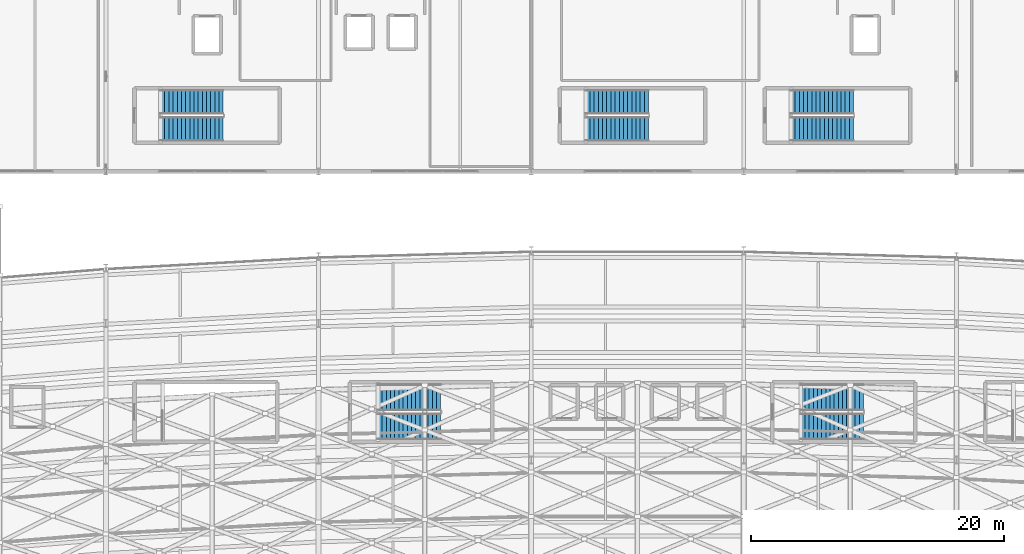
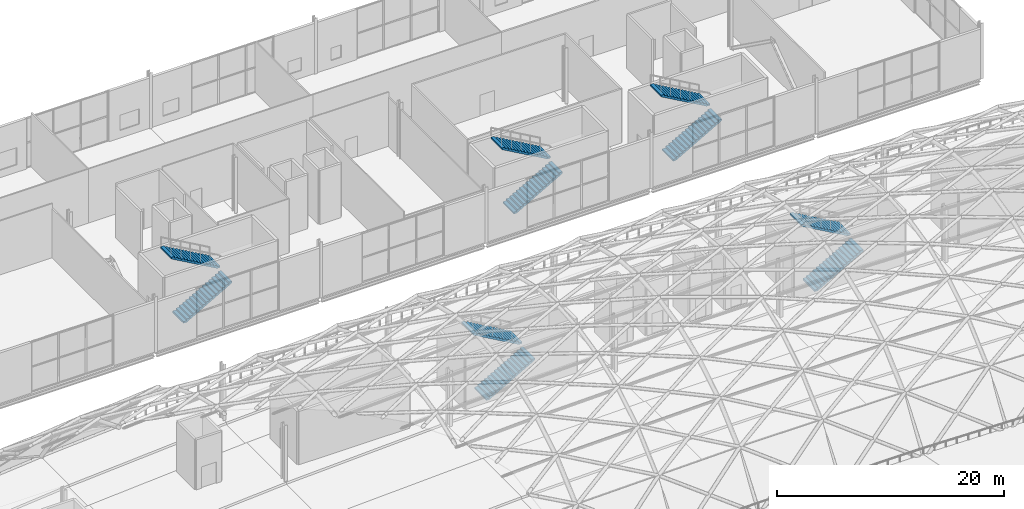
# One storey, part 89 of 100: 10 stair flights, 5 elements without a shape of their own.
"""IFC4 building model written with IfcOpenShell, lengths in metres."""

import ifcopenshell
import ifcopenshell.guid

model = None  # the IFC model being written
_history = None  # IfcOwnerHistory: only IFC2X3 demands one
_inside = {}  # id of a spatial element -> (the spatial element, [elements in it])
_under = {}  # id of a project, library or spatial element -> (it, [spatial elements below it])
_declared = {}  # id of a project -> (the project, [libraries it declares])
_typed = {}  # id of a type object -> (the type object, [elements of that type])
_made_of = {}  # id of a material, layer set ... -> (it, [elements and type objects made of it])


def new_model(schema):
    """Start an empty IFC model of exactly this schema.

    Asked for "IFC4X3", IfcOpenShell would pick the latest addendum, in which some entities
    have other attributes; the version numbers below select the first issue.
    IFC2X3 requires an IfcOwnerHistory on every rooted entity: one is made here for all.
    """
    global model, _history
    if schema == "IFC4X3":
        model = ifcopenshell.file(schema_version=(4, 3, 0, 0))
    else:
        model = ifcopenshell.file(schema=schema)
    _inside.clear()
    _under.clear()
    _declared.clear()
    _typed.clear()
    _made_of.clear()
    _history = None
    if model.schema == "IFC2X3":
        org = make("IfcOrganization", Name="unknown")
        user = make(
            "IfcPersonAndOrganization",
            ThePerson=make("IfcPerson", FamilyName="unknown"),
            TheOrganization=org,
        )
        app = make(
            "IfcApplication",
            ApplicationDeveloper=org,
            Version="unknown",
            ApplicationFullName="unknown",
            ApplicationIdentifier="unknown",
        )
        _history = make(
            "IfcOwnerHistory",
            OwningUser=user,
            OwningApplication=app,
            ChangeAction="ADDED",
            CreationDate=0,
        )
    return model


def make(cls, **values):
    """One entity of the class cls with the attributes given. An attribute that is None is left unset."""
    return model.create_entity(
        cls, **{name: value for name, value in values.items() if value is not None}
    )


def rooted(cls, **values):
    """An entity with a GlobalId (a new one), such as an element, a storey or a relation."""
    return make(cls, GlobalId=ifcopenshell.guid.new(), OwnerHistory=_history, **values)


def si_unit(unit_type, name, prefix=None):
    """IfcSIUnit, for example si_unit("LENGTHUNIT", "METRE", prefix="MILLI")."""
    return make("IfcSIUnit", UnitType=unit_type, Prefix=prefix, Name=name)


def assignment(units):
    """IfcUnitAssignment: the units of a project."""
    return None if units is None else make("IfcUnitAssignment", Units=units)


def point(xyz):
    """IfcCartesianPoint."""
    return None if xyz is None else make("IfcCartesianPoint", Coordinates=xyz)


def direction(xyz):
    """IfcDirection."""
    return None if xyz is None else make("IfcDirection", DirectionRatios=xyz)


def frame(location, z_axis=None, x_axis=None):
    """IfcAxis2Placement3D, a coordinate frame: its origin and axes. An axis left out is left unset."""
    return make(
        "IfcAxis2Placement3D",
        Location=point(location),
        Axis=direction(z_axis),
        RefDirection=direction(x_axis),
    )


def origin():
    """The frame at (0, 0, 0) with its axes left unset."""
    return frame((0.0, 0.0, 0.0))


def place(relative_to, where):
    """IfcLocalPlacement: puts the frame where relative to a parent placement (None: the world)."""
    return make(
        "IfcLocalPlacement", PlacementRelTo=relative_to, RelativePlacement=where
    )


def context(
    kind, dimensions, precision=None, world=None, true_north=None, identifier=None
):
    """IfcGeometricRepresentationContext, for example the 3D "Model" context."""
    return make(
        "IfcGeometricRepresentationContext",
        ContextIdentifier=identifier,
        ContextType=kind,
        CoordinateSpaceDimension=dimensions,
        Precision=precision,
        WorldCoordinateSystem=world,
        TrueNorth=true_north,
    )


def subcontext(parent, identifier, kind, view, scale=None):
    """IfcGeometricRepresentationSubContext, for example "Body" below "Model"."""
    return make(
        "IfcGeometricRepresentationSubContext",
        ContextIdentifier=identifier,
        ContextType=kind,
        ParentContext=parent,
        TargetScale=scale,
        TargetView=view,
    )


def project(units=None, contexts=None):
    """IfcProject with its units and contexts."""
    return rooted(
        "IfcProject",
        Name="project",
        RepresentationContexts=contexts,
        UnitsInContext=assignment(units),
    )


def spatial(cls, under=None, at=None, **own):
    """A site, building, storey or space (cls), placed at a placement, below another one or the project."""
    s = rooted(cls, ObjectPlacement=at, **own)
    if under is not None:
        _under.setdefault(under.id(), (under, []))[1].append(s)
    return s


def polyline(points):
    """IfcPolyline through the points."""
    return make("IfcPolyline", Points=[point(p) for p in points])


def outline(outer, holes=None, kind="AREA"):
    """IfcArbitraryClosedProfileDef: a profile drawn as a closed curve; with holes, ...WithVoids."""
    if holes is None:
        return make("IfcArbitraryClosedProfileDef", ProfileType=kind, OuterCurve=outer)
    return make(
        "IfcArbitraryProfileDefWithVoids",
        ProfileType=kind,
        OuterCurve=outer,
        InnerCurves=holes,
    )


def extrude(swept, where, along, depth):
    """IfcExtrudedAreaSolid: the profile swept, set in the frame where, extruded along a direction by depth."""
    return make(
        "IfcExtrudedAreaSolid",
        SweptArea=swept,
        Position=where,
        ExtrudedDirection=direction(along),
        Depth=depth,
    )


def shape(context_of_items, identifier, shape_type, items):
    """IfcShapeRepresentation: the items that make up one representation, for example the "Body"."""
    return make(
        "IfcShapeRepresentation",
        ContextOfItems=context_of_items,
        RepresentationIdentifier=identifier,
        RepresentationType=shape_type,
        Items=items,
    )


def material(Name=None, Category=None):
    """IfcMaterial."""
    return make("IfcMaterial", Name=Name, Category=Category)


def made_of(thing, what):
    """Note that an element or type object is made of a material, layer set ...; save() writes the relation."""
    if what is not None:
        _made_of.setdefault(what.id(), (what, []))[1].append(thing)
    return thing


def type_object(cls, material=None, **own):
    """A type object (cls), such as IfcWallType, which elements share."""
    return made_of(rooted(cls, **own), material)


def element(
    cls,
    number,
    at=None,
    inside=None,
    cuts=None,
    type_object=None,
    material=None,
    context=None,
    identifier="Body",
    shape_type=None,
    held_by="IfcProductDefinitionShape",
    body=None,
    shapes=None,
    **own,
):
    """One element of the class cls, such as IfcWall. Its Tag is "e" and its number.

    at: its placement. inside: the storey or other place that contains it. cuts: it is an
    opening in that element (IfcRelVoidsElement). A single representation is given by context,
    identifier, shape_type and body (its items); several are given by shapes. held_by: the class
    of the entity that holds the representations. save() writes the other relations.
    """
    e = rooted(cls, Tag="e%d" % number, ObjectPlacement=at, **own)
    if body is not None:
        shapes = [shape(context, identifier, shape_type, body)]
    if shapes is not None:
        e.Representation = make(held_by, Representations=shapes)
    if inside is not None:
        _inside.setdefault(inside.id(), (inside, []))[1].append(e)
    if cuts is not None:
        rooted(
            "IfcRelVoidsElement", RelatingBuildingElement=cuts, RelatedOpeningElement=e
        )
    if type_object is not None:
        _typed.setdefault(type_object.id(), (type_object, []))[1].append(e)
    return made_of(e, material)


def aggregate(whole, parts):
    """IfcRelAggregates: a whole, such as a stair, and the parts it consists of."""
    return rooted("IfcRelAggregates", RelatingObject=whole, RelatedObjects=parts)


def save(model, path):
    """Write the relations noted so far, then the file.

    IfcRelAggregates (storeys below a building ...), IfcRelContainedInSpatialStructure (elements
    in a storey), IfcRelDefinesByType, IfcRelAssociatesMaterial and IfcRelDeclares: one each for
    every whole, place, type object, material and project.
    """
    for whole, parts in _under.values():
        aggregate(whole, parts)
    for where, things in _inside.values():
        rooted(
            "IfcRelContainedInSpatialStructure",
            RelatedElements=things,
            RelatingStructure=where,
        )
    for kind, things in _typed.values():
        rooted("IfcRelDefinesByType", RelatedObjects=things, RelatingType=kind)
    for what, things in _made_of.values():
        rooted("IfcRelAssociatesMaterial", RelatedObjects=things, RelatingMaterial=what)
    for by, libraries in _declared.values():
        rooted("IfcRelDeclares", RelatingContext=by, RelatedDefinitions=libraries)
    model.write(path)


model = new_model("IFC4")

# Units and contexts
model_context = context("Model", 3, precision=1e-05, world=origin(), true_north=direction((0.0, 1.0)))
body_context = subcontext(model_context, "Body", "Model", "MODEL_VIEW")
ifc_project = project(units=[si_unit("LENGTHUNIT", "METRE"), si_unit("AREAUNIT", "SQUARE_METRE"), si_unit("VOLUMEUNIT", "CUBIC_METRE"), si_unit("PLANEANGLEUNIT", "RADIAN"), si_unit("MASSUNIT", "GRAM", prefix="KILO")], contexts=[model_context])

# Site, building, storey
site_placement = place(None, origin())
site = spatial("IfcSite", under=ifc_project, at=site_placement, CompositionType="ELEMENT")
building_placement = place(site_placement, origin())
building = spatial("IfcBuilding", under=site, at=building_placement, Name="Kimbaza Rail Terminus", CompositionType="ELEMENT")
storey_placement = place(building_placement, frame((0.0, 0.0, 10.800048828125)))
storey = spatial("IfcBuildingStorey", under=building, at=storey_placement, Name="L02", CompositionType="ELEMENT", Elevation=10.800048828125)

# Stair, stair flights
ifc_material_1 = material(Name="Concrete C40/50", Category="concrete")
stair_type_1 = type_object("IfcStairType", Name="ARC-STR-01", PredefinedType="HALF_TURN_STAIR", material=ifc_material_1)
stair_1_placement = place(storey_placement, origin())
stair_1 = element("IfcStair", 1, at=stair_1_placement, inside=storey, type_object=stair_type_1, Name="L02 Operations West Exit Stair", PredefinedType="HALF_TURN_STAIR")
ifc_material_2 = material(Name="Concrete C40/50", Category="concrete")
stair_flight_type_1 = type_object("IfcStairFlightType", Name="ARC-SFL-01", PredefinedType="STRAIGHT", material=ifc_material_2)
stair_flight_1_placement = place(storey_placement, frame((76.320068359375, 106.360107421875, 0.0), z_axis=(0.0, 0.0, 1.0), x_axis=(1.0, 0.0, 0.0)))
stair_flight_1 = element("IfcStairFlight", 2, at=stair_flight_1_placement, type_object=stair_flight_type_1, Name="ST-W1 flight 1", NumberOfRisers=16, NumberOfTreads=15, PredefinedType="STRAIGHT", RiserHeight=0.1875, TreadLength=0.33, context=body_context, shape_type="SweptSolid", body=[
    extrude(outline(polyline([(0.0, 0.0), (0.0, 0.1875), (0.330078125, 0.1875), (0.330078125, 0.375), (0.659912109375, 0.375), (0.659912109375, 0.5625), (0.989990234375, 0.5625), (0.989990234375, 0.75), (1.320068359375, 0.75), (1.320068359375, 0.9375), (1.64990234375, 0.9375), (1.64990234375, 1.125), (1.97998046875, 1.125), (1.97998046875, 1.3125), (2.31005859375, 1.3125), (2.31005859375, 1.5), (2.639892578125, 1.5), (2.639892578125, 1.6875), (2.969970703125, 1.6875), (2.969970703125, 1.875), (3.300048828125, 1.875), (3.300048828125, 2.0625), (3.6298828125, 2.0625), (3.6298828125, 2.25), (3.9599609375, 2.25), (3.9599609375, 2.4375), (4.2900390625, 2.4375), (4.2900390625, 2.625), (4.6201171875, 2.625), (4.6201171875, 2.8125), (4.949951171875, 2.8125), (4.949951171875, 3.0), (4.949951171875, 2.64013671875), (0.303466796875, 0.0), (0.0, 0.0)])), frame((0.0, 0.9599609375, 0.0), z_axis=(0.0, -1.0, 0.0), x_axis=(1.0, 0.0, 0.0)), (0.0, 0.0, 1.0), 1.919921875),
])
stair_flight_2_placement = place(storey_placement, frame((81.27001953125, 108.47998046875, 3.0), z_axis=(0.0, 0.0, 1.0), x_axis=(-1.0, 0.0, 0.0)))
stair_flight_2 = element("IfcStairFlight", 3, at=stair_flight_2_placement, type_object=stair_flight_type_1, Name="ST-W1 flight 2", NumberOfRisers=16, NumberOfTreads=15, PredefinedType="STRAIGHT", RiserHeight=0.1875, TreadLength=0.33, context=body_context, shape_type="SweptSolid", body=[
    extrude(outline(polyline([(0.0, 0.0), (0.0, 0.1875), (0.330078125, 0.1875), (0.330078125, 0.375), (0.659912109375, 0.375), (0.659912109375, 0.5625), (0.989990234375, 0.5625), (0.989990234375, 0.75), (1.320068359375, 0.75), (1.320068359375, 0.9375), (1.64990234375, 0.9375), (1.64990234375, 1.125), (1.97998046875, 1.125), (1.97998046875, 1.3125), (2.31005859375, 1.3125), (2.31005859375, 1.5), (2.639892578125, 1.5), (2.639892578125, 1.6875), (2.969970703125, 1.6875), (2.969970703125, 1.875), (3.300048828125, 1.875), (3.300048828125, 2.0625), (3.6298828125, 2.0625), (3.6298828125, 2.25), (3.9599609375, 2.25), (3.9599609375, 2.4375), (4.2900390625, 2.4375), (4.2900390625, 2.625), (4.6201171875, 2.625), (4.6201171875, 2.8125), (4.949951171875, 2.8125), (4.949951171875, 3.0), (4.949951171875, 2.64013671875), (0.303466796875, 0.0), (0.0, 0.0)])), frame((0.0, 0.9599609375, 0.0), z_axis=(0.0, -1.0, 0.0), x_axis=(1.0, 0.0, 0.0)), (0.0, 0.0, 1.0), 1.919921875),
])
aggregate(stair_1, [stair_flight_1, stair_flight_2])

stair_2_placement = place(storey_placement, origin())
stair_2 = element("IfcStair", 4, at=stair_2_placement, inside=storey, type_object=stair_type_1, Name="L02 Operations Central Exit Stair", PredefinedType="HALF_TURN_STAIR")
stair_flight_3_placement = place(storey_placement, frame((109.919921875, 106.360107421875, 0.0), z_axis=(0.0, 0.0, 1.0), x_axis=(1.0, 0.0, 0.0)))
stair_flight_3 = element("IfcStairFlight", 5, at=stair_flight_3_placement, type_object=stair_flight_type_1, Name="ST-M1 flight 1", NumberOfRisers=16, NumberOfTreads=15, PredefinedType="STRAIGHT", RiserHeight=0.1875, TreadLength=0.33, context=body_context, shape_type="SweptSolid", body=[
    extrude(outline(polyline([(0.0, 0.0), (0.0, 0.1875), (0.330078125, 0.1875), (0.330078125, 0.375), (0.659912109375, 0.375), (0.659912109375, 0.5625), (0.989990234375, 0.5625), (0.989990234375, 0.75), (1.320068359375, 0.75), (1.320068359375, 0.9375), (1.64990234375, 0.9375), (1.64990234375, 1.125), (1.97998046875, 1.125), (1.97998046875, 1.3125), (2.31005859375, 1.3125), (2.31005859375, 1.5), (2.639892578125, 1.5), (2.639892578125, 1.6875), (2.969970703125, 1.6875), (2.969970703125, 1.875), (3.300048828125, 1.875), (3.300048828125, 2.0625), (3.6298828125, 2.0625), (3.6298828125, 2.25), (3.9599609375, 2.25), (3.9599609375, 2.4375), (4.2900390625, 2.4375), (4.2900390625, 2.625), (4.6201171875, 2.625), (4.6201171875, 2.8125), (4.949951171875, 2.8125), (4.949951171875, 3.0), (4.949951171875, 2.64013671875), (0.303466796875, 0.0), (0.0, 0.0)])), frame((0.0, 0.9599609375, 0.0), z_axis=(0.0, -1.0, 0.0), x_axis=(1.0, 0.0, 0.0)), (0.0, 0.0, 1.0), 1.919921875),
])
stair_flight_4_placement = place(storey_placement, frame((114.8701171875, 108.47998046875, 3.0), z_axis=(0.0, 0.0, 1.0), x_axis=(-1.0, 0.0, 0.0)))
stair_flight_4 = element("IfcStairFlight", 6, at=stair_flight_4_placement, type_object=stair_flight_type_1, Name="ST-M1 flight 2", NumberOfRisers=16, NumberOfTreads=15, PredefinedType="STRAIGHT", RiserHeight=0.1875, TreadLength=0.33, context=body_context, shape_type="SweptSolid", body=[
    extrude(outline(polyline([(0.0, 0.0), (0.0, 0.1875), (0.330078125, 0.1875), (0.330078125, 0.375), (0.659912109375, 0.375), (0.659912109375, 0.5625), (0.989990234375, 0.5625), (0.989990234375, 0.75), (1.320068359375, 0.75), (1.320068359375, 0.9375), (1.64990234375, 0.9375), (1.64990234375, 1.125), (1.97998046875, 1.125), (1.97998046875, 1.3125), (2.31005859375, 1.3125), (2.31005859375, 1.5), (2.639892578125, 1.5), (2.639892578125, 1.6875), (2.969970703125, 1.6875), (2.969970703125, 1.875), (3.300048828125, 1.875), (3.300048828125, 2.0625), (3.6298828125, 2.0625), (3.6298828125, 2.25), (3.9599609375, 2.25), (3.9599609375, 2.4375), (4.2900390625, 2.4375), (4.2900390625, 2.625), (4.6201171875, 2.625), (4.6201171875, 2.8125), (4.949951171875, 2.8125), (4.949951171875, 3.0), (4.949951171875, 2.64013671875), (0.303466796875, 0.0), (0.0, 0.0)])), frame((0.0, 0.9599609375, 0.0), z_axis=(0.0, -1.0, 0.0), x_axis=(1.0, 0.0, 0.0)), (0.0, 0.0, 1.0), 1.919921875),
])
aggregate(stair_2, [stair_flight_3, stair_flight_4])

stair_3_placement = place(storey_placement, origin())
stair_3 = element("IfcStair", 7, at=stair_3_placement, inside=storey, type_object=stair_type_1, Name="L02 Operations East Exit Stair", PredefinedType="HALF_TURN_STAIR")
stair_flight_5_placement = place(storey_placement, frame((126.1201171875, 106.360107421875, 0.0), z_axis=(0.0, 0.0, 1.0), x_axis=(1.0, 0.0, 0.0)))
stair_flight_5 = element("IfcStairFlight", 8, at=stair_flight_5_placement, type_object=stair_flight_type_1, Name="ST-E1 flight 1", NumberOfRisers=16, NumberOfTreads=15, PredefinedType="STRAIGHT", RiserHeight=0.1875, TreadLength=0.33, context=body_context, shape_type="SweptSolid", body=[
    extrude(outline(polyline([(0.0, 0.0), (0.0, 0.1875), (0.330078125, 0.1875), (0.330078125, 0.375), (0.659912109375, 0.375), (0.659912109375, 0.5625), (0.989990234375, 0.5625), (0.989990234375, 0.75), (1.320068359375, 0.75), (1.320068359375, 0.9375), (1.64990234375, 0.9375), (1.64990234375, 1.125), (1.97998046875, 1.125), (1.97998046875, 1.3125), (2.31005859375, 1.3125), (2.31005859375, 1.5), (2.639892578125, 1.5), (2.639892578125, 1.6875), (2.969970703125, 1.6875), (2.969970703125, 1.875), (3.300048828125, 1.875), (3.300048828125, 2.0625), (3.6298828125, 2.0625), (3.6298828125, 2.25), (3.9599609375, 2.25), (3.9599609375, 2.4375), (4.2900390625, 2.4375), (4.2900390625, 2.625), (4.6201171875, 2.625), (4.6201171875, 2.8125), (4.949951171875, 2.8125), (4.949951171875, 3.0), (4.949951171875, 2.64013671875), (0.303466796875, 0.0), (0.0, 0.0)])), frame((0.0, 0.9599609375, 0.0), z_axis=(0.0, -1.0, 0.0), x_axis=(1.0, 0.0, 0.0)), (0.0, 0.0, 1.0), 1.919921875),
])
stair_flight_6_placement = place(storey_placement, frame((131.070068359375, 108.47998046875, 3.0), z_axis=(0.0, 0.0, 1.0), x_axis=(-1.0, 0.0, 0.0)))
stair_flight_6 = element("IfcStairFlight", 9, at=stair_flight_6_placement, type_object=stair_flight_type_1, Name="ST-E1 flight 2", NumberOfRisers=16, NumberOfTreads=15, PredefinedType="STRAIGHT", RiserHeight=0.1875, TreadLength=0.33, context=body_context, shape_type="SweptSolid", body=[
    extrude(outline(polyline([(0.0, 0.0), (0.0, 0.1875), (0.330078125, 0.1875), (0.330078125, 0.375), (0.659912109375, 0.375), (0.659912109375, 0.5625), (0.989990234375, 0.5625), (0.989990234375, 0.75), (1.320068359375, 0.75), (1.320068359375, 0.9375), (1.64990234375, 0.9375), (1.64990234375, 1.125), (1.97998046875, 1.125), (1.97998046875, 1.3125), (2.31005859375, 1.3125), (2.31005859375, 1.5), (2.639892578125, 1.5), (2.639892578125, 1.6875), (2.969970703125, 1.6875), (2.969970703125, 1.875), (3.300048828125, 1.875), (3.300048828125, 2.0625), (3.6298828125, 2.0625), (3.6298828125, 2.25), (3.9599609375, 2.25), (3.9599609375, 2.4375), (4.2900390625, 2.4375), (4.2900390625, 2.625), (4.6201171875, 2.625), (4.6201171875, 2.8125), (4.949951171875, 2.8125), (4.949951171875, 3.0), (4.949951171875, 2.64013671875), (0.303466796875, 0.0), (0.0, 0.0)])), frame((0.0, 0.9599609375, 0.0), z_axis=(0.0, -1.0, 0.0), x_axis=(1.0, 0.0, 0.0)), (0.0, 0.0, 1.0), 1.919921875),
])
aggregate(stair_3, [stair_flight_5, stair_flight_6])

ifc_material_3 = material(Name="Concrete C40/50", Category="concrete")
stair_type_2 = type_object("IfcStairType", Name="ARC-STR-05", PredefinedType="HALF_TURN_STAIR", material=ifc_material_3)
stair_4_placement = place(storey_placement, origin())
stair_4 = element("IfcStair", 10, at=stair_4_placement, inside=storey, type_object=stair_type_2, Name="L02 Footbridge West Platform Stair", PredefinedType="HALF_TURN_STAIR")
ifc_material_4 = material(Name="Concrete C40/50", Category="concrete")
stair_flight_type_2 = type_object("IfcStairFlightType", Name="ARC-SFL-05", PredefinedType="STRAIGHT", material=ifc_material_4)
stair_flight_7_placement = place(storey_placement, frame((93.5, 82.85009765625, 0.0), z_axis=(0.0, 0.0, 1.0), x_axis=(1.0, 0.0, 0.0)))
stair_flight_7 = element("IfcStairFlight", 11, at=stair_flight_7_placement, type_object=stair_flight_type_2, Name="ST-C3 flight 1", NumberOfRisers=16, NumberOfTreads=15, PredefinedType="STRAIGHT", RiserHeight=0.1875, TreadLength=0.33, context=body_context, shape_type="SweptSolid", body=[
    extrude(outline(polyline([(0.0, 0.0), (0.0, 0.1875), (0.330078125, 0.1875), (0.330078125, 0.375), (0.659912109375, 0.375), (0.659912109375, 0.5625), (0.989990234375, 0.5625), (0.989990234375, 0.75), (1.320068359375, 0.75), (1.320068359375, 0.9375), (1.64990234375, 0.9375), (1.64990234375, 1.125), (1.97998046875, 1.125), (1.97998046875, 1.3125), (2.31005859375, 1.3125), (2.31005859375, 1.5), (2.639892578125, 1.5), (2.639892578125, 1.6875), (2.969970703125, 1.6875), (2.969970703125, 1.875), (3.300048828125, 1.875), (3.300048828125, 2.0625), (3.6298828125, 2.0625), (3.6298828125, 2.25), (3.9599609375, 2.25), (3.9599609375, 2.4375), (4.2900390625, 2.4375), (4.2900390625, 2.625), (4.6201171875, 2.625), (4.6201171875, 2.8125), (4.949951171875, 2.8125), (4.949951171875, 3.0), (4.949951171875, 2.64013671875), (0.303466796875, 0.0), (0.0, 0.0)])), frame((0.0, 1.050048828125, 0.0), z_axis=(0.0, -1.0, 0.0), x_axis=(1.0, 0.0, 0.0)), (0.0, 0.0, 1.0), 2.10009765625),
])
stair_flight_8_placement = place(storey_placement, frame((98.449951171875, 85.14990234375, 3.0), z_axis=(0.0, 0.0, 1.0), x_axis=(-1.0, 0.0, 0.0)))
stair_flight_8 = element("IfcStairFlight", 12, at=stair_flight_8_placement, type_object=stair_flight_type_2, Name="ST-C3 flight 2", NumberOfRisers=16, NumberOfTreads=15, PredefinedType="STRAIGHT", RiserHeight=0.1875, TreadLength=0.33, context=body_context, shape_type="SweptSolid", body=[
    extrude(outline(polyline([(0.0, 0.0), (0.0, 0.1875), (0.330078125, 0.1875), (0.330078125, 0.375), (0.659912109375, 0.375), (0.659912109375, 0.5625), (0.989990234375, 0.5625), (0.989990234375, 0.75), (1.320068359375, 0.75), (1.320068359375, 0.9375), (1.64990234375, 0.9375), (1.64990234375, 1.125), (1.97998046875, 1.125), (1.97998046875, 1.3125), (2.31005859375, 1.3125), (2.31005859375, 1.5), (2.639892578125, 1.5), (2.639892578125, 1.6875), (2.969970703125, 1.6875), (2.969970703125, 1.875), (3.300048828125, 1.875), (3.300048828125, 2.0625), (3.6298828125, 2.0625), (3.6298828125, 2.25), (3.9599609375, 2.25), (3.9599609375, 2.4375), (4.2900390625, 2.4375), (4.2900390625, 2.625), (4.6201171875, 2.625), (4.6201171875, 2.8125), (4.949951171875, 2.8125), (4.949951171875, 3.0), (4.949951171875, 2.64013671875), (0.303466796875, 0.0), (0.0, 0.0)])), frame((0.0, 1.050048828125, 0.0), z_axis=(0.0, -1.0, 0.0), x_axis=(1.0, 0.0, 0.0)), (0.0, 0.0, 1.0), 2.10009765625),
])
aggregate(stair_4, [stair_flight_7, stair_flight_8])

stair_5_placement = place(storey_placement, origin())
stair_5 = element("IfcStair", 13, at=stair_5_placement, inside=storey, type_object=stair_type_2, Name="L02 Footbridge East Platform Stair", PredefinedType="HALF_TURN_STAIR")
stair_flight_9_placement = place(storey_placement, frame((126.89990234375, 82.85009765625, 0.0), z_axis=(0.0, 0.0, 1.0), x_axis=(1.0, 0.0, 0.0)))
stair_flight_9 = element("IfcStairFlight", 14, at=stair_flight_9_placement, type_object=stair_flight_type_2, Name="ST-C4 flight 1", NumberOfRisers=16, NumberOfTreads=15, PredefinedType="STRAIGHT", RiserHeight=0.1875, TreadLength=0.33, context=body_context, shape_type="SweptSolid", body=[
    extrude(outline(polyline([(0.0, 0.0), (0.0, 0.1875), (0.330078125, 0.1875), (0.330078125, 0.375), (0.659912109375, 0.375), (0.659912109375, 0.5625), (0.989990234375, 0.5625), (0.989990234375, 0.75), (1.320068359375, 0.75), (1.320068359375, 0.9375), (1.64990234375, 0.9375), (1.64990234375, 1.125), (1.97998046875, 1.125), (1.97998046875, 1.3125), (2.31005859375, 1.3125), (2.31005859375, 1.5), (2.639892578125, 1.5), (2.639892578125, 1.6875), (2.969970703125, 1.6875), (2.969970703125, 1.875), (3.300048828125, 1.875), (3.300048828125, 2.0625), (3.6298828125, 2.0625), (3.6298828125, 2.25), (3.9599609375, 2.25), (3.9599609375, 2.4375), (4.2900390625, 2.4375), (4.2900390625, 2.625), (4.6201171875, 2.625), (4.6201171875, 2.8125), (4.949951171875, 2.8125), (4.949951171875, 3.0), (4.949951171875, 2.64013671875), (0.303466796875, 0.0), (0.0, 0.0)])), frame((0.0, 1.050048828125, 0.0), z_axis=(0.0, -1.0, 0.0), x_axis=(1.0, 0.0, 0.0)), (0.0, 0.0, 1.0), 2.10009765625),
])
stair_flight_10_placement = place(storey_placement, frame((131.85009765625, 85.14990234375, 3.0), z_axis=(0.0, 0.0, 1.0), x_axis=(-1.0, 0.0, 0.0)))
stair_flight_10 = element("IfcStairFlight", 15, at=stair_flight_10_placement, type_object=stair_flight_type_2, Name="ST-C4 flight 2", NumberOfRisers=16, NumberOfTreads=15, PredefinedType="STRAIGHT", RiserHeight=0.1875, TreadLength=0.33, context=body_context, shape_type="SweptSolid", body=[
    extrude(outline(polyline([(0.0, 0.0), (0.0, 0.1875), (0.330078125, 0.1875), (0.330078125, 0.375), (0.659912109375, 0.375), (0.659912109375, 0.5625), (0.989990234375, 0.5625), (0.989990234375, 0.75), (1.320068359375, 0.75), (1.320068359375, 0.9375), (1.64990234375, 0.9375), (1.64990234375, 1.125), (1.97998046875, 1.125), (1.97998046875, 1.3125), (2.31005859375, 1.3125), (2.31005859375, 1.5), (2.639892578125, 1.5), (2.639892578125, 1.6875), (2.969970703125, 1.6875), (2.969970703125, 1.875), (3.300048828125, 1.875), (3.300048828125, 2.0625), (3.6298828125, 2.0625), (3.6298828125, 2.25), (3.9599609375, 2.25), (3.9599609375, 2.4375), (4.2900390625, 2.4375), (4.2900390625, 2.625), (4.6201171875, 2.625), (4.6201171875, 2.8125), (4.949951171875, 2.8125), (4.949951171875, 3.0), (4.949951171875, 2.64013671875), (0.303466796875, 0.0), (0.0, 0.0)])), frame((0.0, 1.050048828125, 0.0), z_axis=(0.0, -1.0, 0.0), x_axis=(1.0, 0.0, 0.0)), (0.0, 0.0, 1.0), 2.10009765625),
])
aggregate(stair_5, [stair_flight_9, stair_flight_10])

save(model, "model.ifc")
